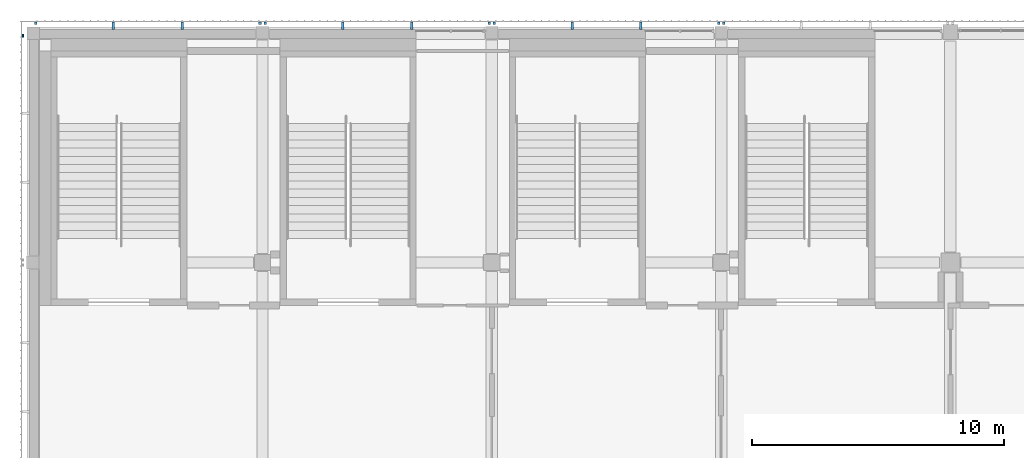
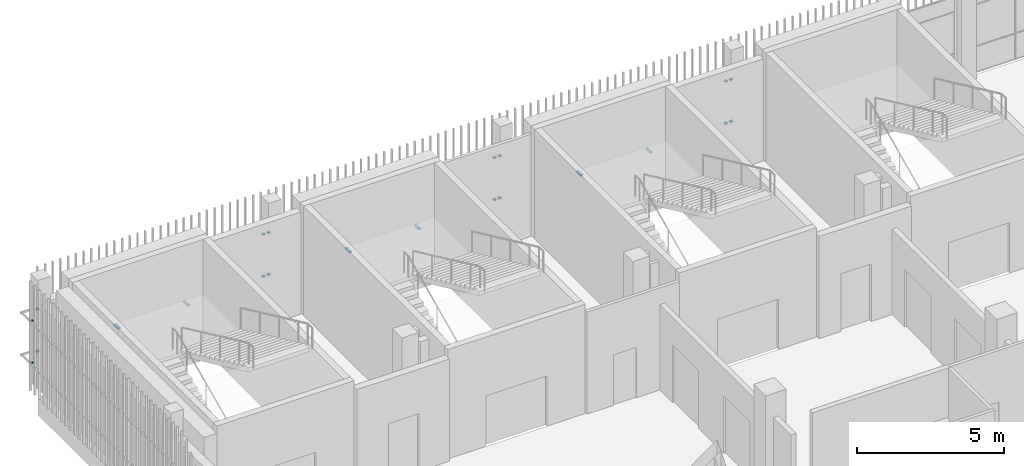
# One storey, part 80 of 104: 22 discrete accessories.
"""IFC4 building model written with IfcOpenShell, lengths in metres."""

from ifc_helpers import new_model, si_unit, direction, frame, origin, origin_2d, place, context, subcontext, project, spatial, rectangle, extrude, material, type_object, element, save


model = new_model("IFC4")

# Units and contexts
model_context = context("Model", 3, precision=1e-05, world=origin(), true_north=direction((0.0, 1.0)))
body_context = subcontext(model_context, "Body", "Model", "MODEL_VIEW")
ifc_project = project(units=[si_unit("LENGTHUNIT", "METRE"), si_unit("AREAUNIT", "SQUARE_METRE"), si_unit("VOLUMEUNIT", "CUBIC_METRE"), si_unit("PLANEANGLEUNIT", "RADIAN"), si_unit("MASSUNIT", "GRAM", prefix="KILO")], contexts=[model_context])

# Site, building, storey
site_placement = place(None, origin())
site = spatial("IfcSite", under=ifc_project, at=site_placement, CompositionType="ELEMENT")
building_placement = place(site_placement, origin())
building = spatial("IfcBuilding", under=site, at=building_placement, Name="Shirokan Park Arena", CompositionType="ELEMENT")
storey_placement = place(building_placement, frame((0.0, 0.0, 10.919921875)))
storey = spatial("IfcBuildingStorey", under=building, at=storey_placement, Name="L02", CompositionType="ELEMENT", Elevation=10.919921875)

# Discrete accessories
ifc_material = material(Name="Steel S355", Category="steel")
discrete_accessory_type = type_object("IfcDiscreteAccessoryType", Name="Veil bracket 100x60", PredefinedType="BRACKET", material=ifc_material)
for number, where, z_axis, x_axis, name in (
    (1, (27.39990234375, 109.597412109375, 1.070068359375), (0.0, 0.0, 1.0), (-1.0, 0.0, 0.0), "Veil bracket north bay 13 L02 2"),
    (2, (27.39990234375, 109.597412109375, 2.820068359375), (0.0, 0.0, 1.0), (-1.0, 0.0, 0.0), "Veil bracket north bay 13 L02 4"),
    (3, (27.199951171875, 109.597412109375, 1.070068359375), (0.0, 0.0, 1.0), (-1.0, 0.0, 0.0), "Veil bracket north bay 14 L02 1"),
    (4, (18.300048828125, 109.597412109375, 1.070068359375), (0.0, 0.0, 1.0), (-1.0, 0.0, 0.0), "Veil bracket north bay 14 L02 2"),
    (5, (27.199951171875, 109.597412109375, 2.820068359375), (0.0, 0.0, 1.0), (-1.0, 0.0, 0.0), "Veil bracket north bay 14 L02 3"),
    (6, (18.300048828125, 109.597412109375, 2.820068359375), (0.0, 0.0, 1.0), (-1.0, 0.0, 0.0), "Veil bracket north bay 14 L02 4"),
):
    element("IfcDiscreteAccessory", number, at=place(storey_placement, frame(where, z_axis=z_axis, x_axis=x_axis)), inside=storey, type_object=discrete_accessory_type, Name=name, PredefinedType="BRACKET", context=body_context, shape_type="SweptSolid", body=[
        extrude(rectangle(XDim=0.10009765625, YDim=0.094970703125, at=origin_2d()), origin(), (0.0, 0.0, 1.0), 0.06005859375),
    ])
for number, where, z_axis, x_axis, name in (
    (7, (24.114990234375, 109.49755859375, 1.070068359375), (0.0, 0.0, 1.0), (-1.0, 0.0, 0.0), "Veil bracket north bay 14 L02 wall 1"),
    (8, (21.385009765625, 109.49755859375, 1.070068359375), (0.0, 0.0, 1.0), (-1.0, 0.0, 0.0), "Veil bracket north bay 14 L02 wall 2"),
):
    element("IfcDiscreteAccessory", number, at=place(storey_placement, frame(where, z_axis=z_axis, x_axis=x_axis)), inside=storey, type_object=discrete_accessory_type, Name=name, PredefinedType="BRACKET", context=body_context, shape_type="SweptSolid", body=[
        extrude(rectangle(XDim=0.10009765625, YDim=0.294921875, at=origin_2d()), origin(), (0.0, 0.0, 1.0), 0.06005859375),
    ])
for number, where, z_axis, x_axis, name in (
    (9, (18.10009765625, 109.597412109375, 1.070068359375), (0.0, 0.0, 1.0), (-1.0, 0.0, 0.0), "Veil bracket north bay 15 L02 1"),
    (10, (9.199951171875, 109.597412109375, 1.070068359375), (0.0, 0.0, 1.0), (-1.0, 0.0, 0.0), "Veil bracket north bay 15 L02 2"),
    (11, (18.10009765625, 109.597412109375, 2.820068359375), (0.0, 0.0, 1.0), (-1.0, 0.0, 0.0), "Veil bracket north bay 15 L02 3"),
    (12, (9.199951171875, 109.597412109375, 2.820068359375), (0.0, 0.0, 1.0), (-1.0, 0.0, 0.0), "Veil bracket north bay 15 L02 4"),
):
    element("IfcDiscreteAccessory", number, at=place(storey_placement, frame(where, z_axis=z_axis, x_axis=x_axis)), inside=storey, type_object=discrete_accessory_type, Name=name, PredefinedType="BRACKET", context=body_context, shape_type="SweptSolid", body=[
        extrude(rectangle(XDim=0.10009765625, YDim=0.094970703125, at=origin_2d()), origin(), (0.0, 0.0, 1.0), 0.06005859375),
    ])
for number, where, z_axis, x_axis, name in (
    (13, (15.014892578125, 109.49755859375, 1.070068359375), (0.0, 0.0, 1.0), (-1.0, 0.0, 0.0), "Veil bracket north bay 15 L02 wall 1"),
    (14, (12.284912109375, 109.49755859375, 1.070068359375), (0.0, 0.0, 1.0), (-1.0, 0.0, 0.0), "Veil bracket north bay 15 L02 wall 2"),
):
    element("IfcDiscreteAccessory", number, at=place(storey_placement, frame(where, z_axis=z_axis, x_axis=x_axis)), inside=storey, type_object=discrete_accessory_type, Name=name, PredefinedType="BRACKET", context=body_context, shape_type="SweptSolid", body=[
        extrude(rectangle(XDim=0.10009765625, YDim=0.294921875, at=origin_2d()), origin(), (0.0, 0.0, 1.0), 0.06005859375),
    ])
for number, where, z_axis, x_axis, name in (
    (15, (9.0, 109.597412109375, 1.070068359375), (0.0, 0.0, 1.0), (-1.0, 0.0, 0.0), "Veil bracket north bay 16 L02 1"),
    (16, (0.10009765625, 109.597412109375, 1.070068359375), (0.0, 0.0, 1.0), (-1.0, 0.0, 0.0), "Veil bracket north bay 16 L02 2"),
    (17, (9.0, 109.597412109375, 2.820068359375), (0.0, 0.0, 1.0), (-1.0, 0.0, 0.0), "Veil bracket north bay 16 L02 3"),
    (18, (0.10009765625, 109.597412109375, 2.820068359375), (0.0, 0.0, 1.0), (-1.0, 0.0, 0.0), "Veil bracket north bay 16 L02 4"),
):
    element("IfcDiscreteAccessory", number, at=place(storey_placement, frame(where, z_axis=z_axis, x_axis=x_axis)), inside=storey, type_object=discrete_accessory_type, Name=name, PredefinedType="BRACKET", context=body_context, shape_type="SweptSolid", body=[
        extrude(rectangle(XDim=0.10009765625, YDim=0.094970703125, at=origin_2d()), origin(), (0.0, 0.0, 1.0), 0.06005859375),
    ])
for number, where, z_axis, x_axis, name in (
    (19, (5.9150390625, 109.49755859375, 1.070068359375), (0.0, 0.0, 1.0), (-1.0, 0.0, 0.0), "Veil bracket north bay 16 L02 wall 1"),
    (20, (3.18505859375, 109.49755859375, 1.070068359375), (0.0, 0.0, 1.0), (-1.0, 0.0, 0.0), "Veil bracket north bay 16 L02 wall 2"),
):
    element("IfcDiscreteAccessory", number, at=place(storey_placement, frame(where, z_axis=z_axis, x_axis=x_axis)), inside=storey, type_object=discrete_accessory_type, Name=name, PredefinedType="BRACKET", context=body_context, shape_type="SweptSolid", body=[
        extrude(rectangle(XDim=0.10009765625, YDim=0.294921875, at=origin_2d()), origin(), (0.0, 0.0, 1.0), 0.06005859375),
    ])
for number, where, z_axis, x_axis, name in (
    (21, (-0.409912109375, 109.10009765625, 1.070068359375), (0.0, 0.0, 1.0), (0.0, -1.0, 0.0), "Veil bracket west bay 1 L02 1"),
    (22, (-0.409912109375, 109.10009765625, 2.820068359375), (0.0, 0.0, 1.0), (0.0, -1.0, 0.0), "Veil bracket west bay 1 L02 3"),
):
    element("IfcDiscreteAccessory", number, at=place(storey_placement, frame(where, z_axis=z_axis, x_axis=x_axis)), inside=storey, type_object=discrete_accessory_type, Name=name, PredefinedType="BRACKET", context=body_context, shape_type="SweptSolid", body=[
        extrude(rectangle(XDim=0.10009765625, YDim=0.070068359375, at=origin_2d()), origin(), (0.0, 0.0, 1.0), 0.06005859375),
    ])

save(model, "model.ifc")
